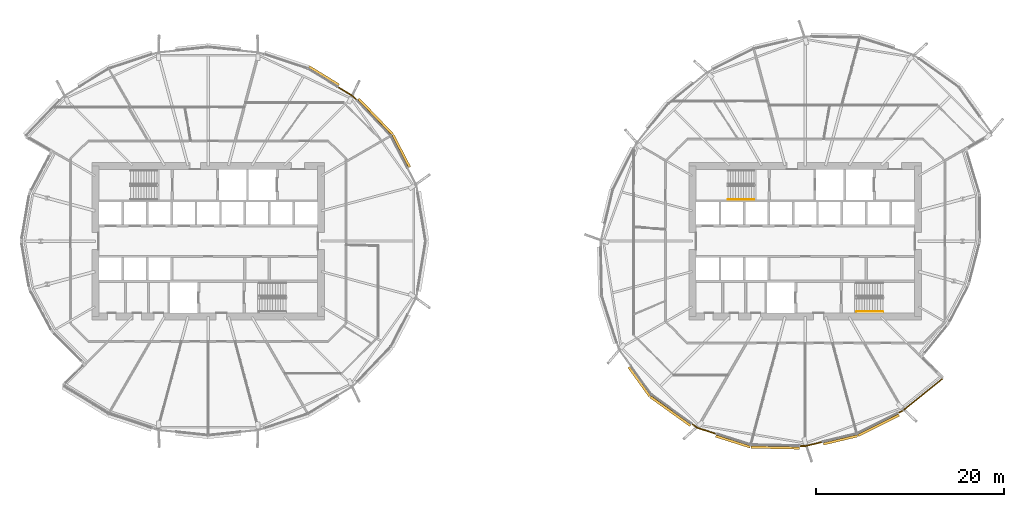
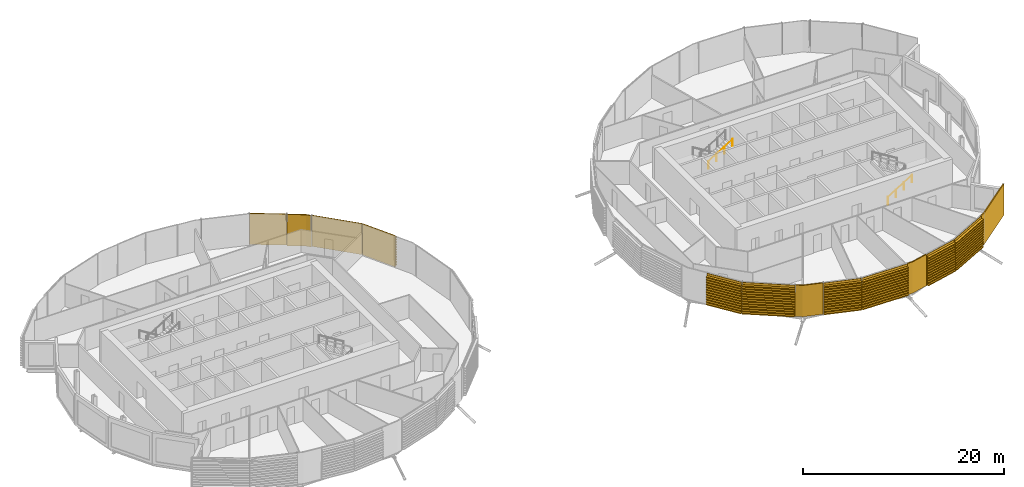
# One storey, part 36 of 38: 13 coverings, 2 railings.
"""IFC4 building model written with IfcOpenShell, lengths in metres."""

import ifcopenshell
import ifcopenshell.guid

model = None  # the IFC model being written
_history = None  # IfcOwnerHistory: only IFC2X3 demands one
_inside = {}  # id of a spatial element -> (the spatial element, [elements in it])
_under = {}  # id of a project, library or spatial element -> (it, [spatial elements below it])
_declared = {}  # id of a project -> (the project, [libraries it declares])
_typed = {}  # id of a type object -> (the type object, [elements of that type])
_made_of = {}  # id of a material, layer set ... -> (it, [elements and type objects made of it])


def new_model(schema):
    """Start an empty IFC model of exactly this schema.

    Asked for "IFC4X3", IfcOpenShell would pick the latest addendum, in which some entities
    have other attributes; the version numbers below select the first issue.
    IFC2X3 requires an IfcOwnerHistory on every rooted entity: one is made here for all.
    """
    global model, _history
    if schema == "IFC4X3":
        model = ifcopenshell.file(schema_version=(4, 3, 0, 0))
    else:
        model = ifcopenshell.file(schema=schema)
    _inside.clear()
    _under.clear()
    _declared.clear()
    _typed.clear()
    _made_of.clear()
    _history = None
    if model.schema == "IFC2X3":
        org = make("IfcOrganization", Name="unknown")
        user = make(
            "IfcPersonAndOrganization",
            ThePerson=make("IfcPerson", FamilyName="unknown"),
            TheOrganization=org,
        )
        app = make(
            "IfcApplication",
            ApplicationDeveloper=org,
            Version="unknown",
            ApplicationFullName="unknown",
            ApplicationIdentifier="unknown",
        )
        _history = make(
            "IfcOwnerHistory",
            OwningUser=user,
            OwningApplication=app,
            ChangeAction="ADDED",
            CreationDate=0,
        )
    return model


def make(cls, **values):
    """One entity of the class cls with the attributes given. An attribute that is None is left unset."""
    return model.create_entity(
        cls, **{name: value for name, value in values.items() if value is not None}
    )


def rooted(cls, **values):
    """An entity with a GlobalId (a new one), such as an element, a storey or a relation."""
    return make(cls, GlobalId=ifcopenshell.guid.new(), OwnerHistory=_history, **values)


def si_unit(unit_type, name, prefix=None):
    """IfcSIUnit, for example si_unit("LENGTHUNIT", "METRE", prefix="MILLI")."""
    return make("IfcSIUnit", UnitType=unit_type, Prefix=prefix, Name=name)


def assignment(units):
    """IfcUnitAssignment: the units of a project."""
    return None if units is None else make("IfcUnitAssignment", Units=units)


def point(xyz):
    """IfcCartesianPoint."""
    return None if xyz is None else make("IfcCartesianPoint", Coordinates=xyz)


def direction(xyz):
    """IfcDirection."""
    return None if xyz is None else make("IfcDirection", DirectionRatios=xyz)


def frame(location, z_axis=None, x_axis=None):
    """IfcAxis2Placement3D, a coordinate frame: its origin and axes. An axis left out is left unset."""
    return make(
        "IfcAxis2Placement3D",
        Location=point(location),
        Axis=direction(z_axis),
        RefDirection=direction(x_axis),
    )


def frame_2d(location, x_axis=None):
    """IfcAxis2Placement2D, a coordinate frame in the plane: its origin and x axis."""
    return make(
        "IfcAxis2Placement2D", Location=point(location), RefDirection=direction(x_axis)
    )


def origin():
    """The frame at (0, 0, 0) with its axes left unset."""
    return frame((0.0, 0.0, 0.0))


def origin_2d():
    """The frame at (0, 0) in the plane with its x axis left unset."""
    return frame_2d((0.0, 0.0))


def place(relative_to, where):
    """IfcLocalPlacement: puts the frame where relative to a parent placement (None: the world)."""
    return make(
        "IfcLocalPlacement", PlacementRelTo=relative_to, RelativePlacement=where
    )


def context(
    kind, dimensions, precision=None, world=None, true_north=None, identifier=None
):
    """IfcGeometricRepresentationContext, for example the 3D "Model" context."""
    return make(
        "IfcGeometricRepresentationContext",
        ContextIdentifier=identifier,
        ContextType=kind,
        CoordinateSpaceDimension=dimensions,
        Precision=precision,
        WorldCoordinateSystem=world,
        TrueNorth=true_north,
    )


def subcontext(parent, identifier, kind, view, scale=None):
    """IfcGeometricRepresentationSubContext, for example "Body" below "Model"."""
    return make(
        "IfcGeometricRepresentationSubContext",
        ContextIdentifier=identifier,
        ContextType=kind,
        ParentContext=parent,
        TargetScale=scale,
        TargetView=view,
    )


def project(units=None, contexts=None):
    """IfcProject with its units and contexts."""
    return rooted(
        "IfcProject",
        Name="project",
        RepresentationContexts=contexts,
        UnitsInContext=assignment(units),
    )


def spatial(cls, under=None, at=None, **own):
    """A site, building, storey or space (cls), placed at a placement, below another one or the project."""
    s = rooted(cls, ObjectPlacement=at, **own)
    if under is not None:
        _under.setdefault(under.id(), (under, []))[1].append(s)
    return s


def polyline(points):
    """IfcPolyline through the points."""
    return make("IfcPolyline", Points=[point(p) for p in points])


def profile(cls, at=None, kind="AREA", **sizes):
    """A parametric profile (cls). Its sizes go by their IFC names, for example OverallWidth=200.0."""
    return make(cls, ProfileType=kind, Position=at, **sizes)


def circle(**sizes):
    """IfcCircleProfileDef."""
    return profile("IfcCircleProfileDef", **sizes)


def outline(outer, holes=None, kind="AREA"):
    """IfcArbitraryClosedProfileDef: a profile drawn as a closed curve; with holes, ...WithVoids."""
    if holes is None:
        return make("IfcArbitraryClosedProfileDef", ProfileType=kind, OuterCurve=outer)
    return make(
        "IfcArbitraryProfileDefWithVoids",
        ProfileType=kind,
        OuterCurve=outer,
        InnerCurves=holes,
    )


def extrude(swept, where, along, depth):
    """IfcExtrudedAreaSolid: the profile swept, set in the frame where, extruded along a direction by depth."""
    return make(
        "IfcExtrudedAreaSolid",
        SweptArea=swept,
        Position=where,
        ExtrudedDirection=direction(along),
        Depth=depth,
    )


def shape(context_of_items, identifier, shape_type, items):
    """IfcShapeRepresentation: the items that make up one representation, for example the "Body"."""
    return make(
        "IfcShapeRepresentation",
        ContextOfItems=context_of_items,
        RepresentationIdentifier=identifier,
        RepresentationType=shape_type,
        Items=items,
    )


def material(Name=None, Category=None):
    """IfcMaterial."""
    return make("IfcMaterial", Name=Name, Category=Category)


def layer(
    of_material, thickness, ventilated=None, Name=None, Category=None, Priority=None
):
    """IfcMaterialLayer: one layer of a wall or slab, of a material (None: an air gap)."""
    return make(
        "IfcMaterialLayer",
        Material=of_material,
        LayerThickness=thickness,
        IsVentilated=ventilated,
        Name=Name,
        Category=Category,
        Priority=Priority,
    )


def layer_set(layers, Name=None):
    """IfcMaterialLayerSet."""
    return make("IfcMaterialLayerSet", MaterialLayers=layers, LayerSetName=Name)


def material_profile(
    of_material, cross_section, Name=None, Category=None, Priority=None
):
    """IfcMaterialProfile: a cross section and its material."""
    return make(
        "IfcMaterialProfile",
        Name=Name,
        Material=of_material,
        Profile=cross_section,
        Priority=Priority,
        Category=Category,
    )


def profile_set(profiles, Name=None, composite=None):
    """IfcMaterialProfileSet."""
    return make(
        "IfcMaterialProfileSet",
        Name=Name,
        MaterialProfiles=profiles,
        CompositeProfile=composite,
    )


def made_of(thing, what):
    """Note that an element or type object is made of a material, layer set ...; save() writes the relation."""
    if what is not None:
        _made_of.setdefault(what.id(), (what, []))[1].append(thing)
    return thing


def type_object(cls, material=None, **own):
    """A type object (cls), such as IfcWallType, which elements share."""
    return made_of(rooted(cls, **own), material)


def element(
    cls,
    number,
    at=None,
    inside=None,
    cuts=None,
    type_object=None,
    material=None,
    context=None,
    identifier="Body",
    shape_type=None,
    held_by="IfcProductDefinitionShape",
    body=None,
    shapes=None,
    **own,
):
    """One element of the class cls, such as IfcWall. Its Tag is "e" and its number.

    at: its placement. inside: the storey or other place that contains it. cuts: it is an
    opening in that element (IfcRelVoidsElement). A single representation is given by context,
    identifier, shape_type and body (its items); several are given by shapes. held_by: the class
    of the entity that holds the representations. save() writes the other relations.
    """
    e = rooted(cls, Tag="e%d" % number, ObjectPlacement=at, **own)
    if body is not None:
        shapes = [shape(context, identifier, shape_type, body)]
    if shapes is not None:
        e.Representation = make(held_by, Representations=shapes)
    if inside is not None:
        _inside.setdefault(inside.id(), (inside, []))[1].append(e)
    if cuts is not None:
        rooted(
            "IfcRelVoidsElement", RelatingBuildingElement=cuts, RelatedOpeningElement=e
        )
    if type_object is not None:
        _typed.setdefault(type_object.id(), (type_object, []))[1].append(e)
    return made_of(e, material)


def aggregate(whole, parts):
    """IfcRelAggregates: a whole, such as a stair, and the parts it consists of."""
    return rooted("IfcRelAggregates", RelatingObject=whole, RelatedObjects=parts)


def save(model, path):
    """Write the relations noted so far, then the file.

    IfcRelAggregates (storeys below a building ...), IfcRelContainedInSpatialStructure (elements
    in a storey), IfcRelDefinesByType, IfcRelAssociatesMaterial and IfcRelDeclares: one each for
    every whole, place, type object, material and project.
    """
    for whole, parts in _under.values():
        aggregate(whole, parts)
    for where, things in _inside.values():
        rooted(
            "IfcRelContainedInSpatialStructure",
            RelatedElements=things,
            RelatingStructure=where,
        )
    for kind, things in _typed.values():
        rooted("IfcRelDefinesByType", RelatedObjects=things, RelatingType=kind)
    for what, things in _made_of.values():
        rooted("IfcRelAssociatesMaterial", RelatedObjects=things, RelatingMaterial=what)
    for by, libraries in _declared.values():
        rooted("IfcRelDeclares", RelatingContext=by, RelatedDefinitions=libraries)
    model.write(path)


model = new_model("IFC4")

# Units and contexts
model_context = context("Model", 3, precision=1e-05, world=origin(), true_north=direction((0.0, 1.0)))
body_context = subcontext(model_context, "Body", "Model", "MODEL_VIEW")
ifc_project = project(units=[si_unit("LENGTHUNIT", "METRE"), si_unit("AREAUNIT", "SQUARE_METRE"), si_unit("VOLUMEUNIT", "CUBIC_METRE"), si_unit("PLANEANGLEUNIT", "RADIAN"), si_unit("MASSUNIT", "GRAM", prefix="KILO")], contexts=[model_context])

# Site, building, storey
site_placement = place(None, origin())
site = spatial("IfcSite", under=ifc_project, at=site_placement, CompositionType="ELEMENT")
building_placement = place(site_placement, origin())
building = spatial("IfcBuilding", under=site, at=building_placement, Name="Rimbun Link Towers", CompositionType="ELEMENT")
storey_placement = place(building_placement, frame((0.0, 0.0, 119.60009765625)))
storey = spatial("IfcBuildingStorey", under=building, at=storey_placement, Name="L29", CompositionType="ELEMENT", Elevation=119.60009765625)

# Coverings
ifc_material_1 = material(Name="Terracotta", Category="masonry")
ifc_layer = layer(ifc_material_1, 0.1201171875)
ifc_layer_set = layer_set([ifc_layer], Name="LINK PIER terracotta cladding 120")
covering_type_1 = type_object("IfcCoveringType", Name="LINK PIER terracotta cladding 120", PredefinedType="CLADDING", material=ifc_layer_set)
covering_1_placement = place(storey_placement, origin())
element("IfcCovering", 1, at=covering_1_placement, inside=storey, type_object=covering_type_1, Name="LINK PIER cladding", PredefinedType="CLADDING", context=body_context, shape_type="SweptSolid", body=[
    extrude(outline(polyline([(-17.97802734375, 16.343994140625), (-16.384521484375, 15.365478515625), (-15.989990234375, 14.9541015625), (-15.9033203125, 15.037109375), (-16.308349609375, 15.459716796875), (-17.915283203125, 16.4462890625), (-17.97802734375, 16.343994140625)])), origin(), (0.0, 0.0, 1.0), 3.7998046875),
])
covering_2_placement = place(storey_placement, origin())
element("IfcCovering", 2, at=covering_2_placement, inside=storey, type_object=covering_type_1, Name="LINK PIER cladding", PredefinedType="CLADDING", context=body_context, shape_type="SweptSolid", body=[
    extrude(outline(polyline([(22.2841796875, -20.439208984375), (20.3115234375, -19.81201171875), (19.7265625, -19.39208984375), (19.65673828125, -19.48974609375), (20.257080078125, -19.92041015625), (22.247802734375, -20.5537109375), (22.2841796875, -20.439208984375)])), origin(), (0.0, 0.0, 1.0), 3.7998046875),
])
covering_3_placement = place(storey_placement, origin())
element("IfcCovering", 3, at=covering_3_placement, inside=storey, type_object=covering_type_1, Name="LINK PIER cladding", PredefinedType="CLADDING", context=body_context, shape_type="SweptSolid", body=[
    extrude(outline(polyline([(33.568603515625, -21.29541015625), (31.75, -21.730224609375), (31.18017578125, -21.71826171875), (31.177490234375, -21.83837890625), (31.762939453125, -21.8505859375), (33.5966796875, -21.412109375), (33.568603515625, -21.29541015625)])), origin(), (0.0, 0.0, 1.0), 3.7998046875),
])
covering_4_placement = place(storey_placement, origin())
element("IfcCovering", 4, at=covering_4_placement, inside=storey, type_object=covering_type_1, Name="LINK PIER cladding", PredefinedType="CLADDING", context=body_context, shape_type="SweptSolid", body=[
    extrude(outline(polyline([(46.29248046875, -14.58447265625), (42.1201171875, -17.961669921875), (41.61083984375, -18.217529296875), (41.664794921875, -18.32470703125), (42.185546875, -18.063232421875), (46.367919921875, -14.677734375), (46.29248046875, -14.58447265625)])), origin(), (0.0, 0.0, 1.0), 3.7998046875),
])

# Railings
ifc_material_2 = material(Name="Stainless steel grade 316", Category="steel")
railing_type = type_object("IfcRailingType", Name="Stair handrail", PredefinedType="HANDRAIL", material=ifc_material_2)
for number, where, name in (
    (5, (23.5, 4.449951171875, 2.072509765625), "L29 ST3 stair handrail 2"),
    (6, (37.199951171875, -7.5, 0.172607421875), "L29 ST4 stair handrail 1"),
):
    element("IfcRailing", number, at=place(storey_placement, frame(where)), inside=storey, type_object=railing_type, Name=name, PredefinedType="HANDRAIL", context=body_context, shape_type="SweptSolid", body=[
        extrude(circle(Radius=0.02392578125, at=origin_2d()), frame((0.0, 0.0, 0.8759765625), z_axis=(0.851089632645, 0.0, 0.525020415988), x_axis=(0.0, 1.0, 0.0)), (0.0, 0.0, 1.0), 3.2900390625),
        extrude(circle(Radius=0.02099609375, at=origin_2d()), origin(), (0.0, 0.0, 1.0), 0.851806640625),
        extrude(circle(Radius=0.02099609375, at=origin_2d()), frame((0.933349609375, 0.0, 0.57568359375)), (0.0, 0.0, 1.0), 0.851806640625),
        extrude(circle(Radius=0.02099609375, at=origin_2d()), frame((1.86669921875, 0.0, 1.151611328125)), (0.0, 0.0, 1.0), 0.851806640625),
        extrude(circle(Radius=0.02099609375, at=origin_2d()), frame((2.800048828125, 0.0, 1.727294921875)), (0.0, 0.0, 1.0), 0.851806640625),
    ])

# Coverings
ifc_material_3 = material(Name="Terracotta", Category="masonry")
ifc_material_profile = material_profile(ifc_material_3, outline(polyline([(0.123046875, 0.0), (0.1630859375, 0.0), (0.1630859375, 0.10009765625), (0.423095703125, 0.10009765625), (0.423095703125, 0.219970703125), (0.1630859375, 0.219970703125), (0.1630859375, 0.39990234375), (0.423095703125, 0.39990234375), (0.423095703125, 0.52001953125), (0.1630859375, 0.52001953125), (0.1630859375, 0.699951171875), (0.423095703125, 0.699951171875), (0.423095703125, 0.820068359375), (0.1630859375, 0.820068359375), (0.1630859375, 1.0), (0.423095703125, 1.0), (0.423095703125, 1.1201171875), (0.1630859375, 1.1201171875), (0.1630859375, 1.300048828125), (0.423095703125, 1.300048828125), (0.423095703125, 1.419921875), (0.1630859375, 1.419921875), (0.1630859375, 1.60009765625), (0.423095703125, 1.60009765625), (0.423095703125, 1.719970703125), (0.1630859375, 1.719970703125), (0.1630859375, 1.89990234375), (0.423095703125, 1.89990234375), (0.423095703125, 2.02001953125), (0.1630859375, 2.02001953125), (0.1630859375, 2.199951171875), (0.423095703125, 2.199951171875), (0.423095703125, 2.320068359375), (0.1630859375, 2.320068359375), (0.1630859375, 2.5), (0.423095703125, 2.5), (0.423095703125, 2.6201171875), (0.1630859375, 2.6201171875), (0.1630859375, 2.800048828125), (0.423095703125, 2.800048828125), (0.423095703125, 2.919921875), (0.1630859375, 2.919921875), (0.1630859375, 3.10009765625), (0.423095703125, 3.10009765625), (0.423095703125, 3.219970703125), (0.1630859375, 3.219970703125), (0.1630859375, 3.39990234375), (0.423095703125, 3.39990234375), (0.423095703125, 3.52001953125), (0.1630859375, 3.52001953125), (0.1630859375, 3.800048828125), (0.123046875, 3.800048828125), (0.123046875, 0.0)])), Name="BAGUETTE 120X300")
ifc_profile_set = profile_set([ifc_material_profile], Name="Terracotta")
covering_type_2 = type_object("IfcCoveringType", Name="TERRACOTTA BAGUETTE 120X300 H3800", PredefinedType="CLADDING", material=ifc_profile_set)
covering_5_placement = place(storey_placement, frame((-12.37646484375, 11.185302734375, 0.0), z_axis=(0.459537686225, -0.888158271334, 0.0), x_axis=(0.888158271334, 0.459537686225, 0.0)))
element("IfcCovering", 7, at=covering_5_placement, inside=storey, type_object=covering_type_2, Name="TERRACOTTA BAGUETTE", PredefinedType="CLADDING", context=body_context, shape_type="SweptSolid", body=[
    extrude(outline(polyline([(0.123046875, 0.0), (0.1630859375, 0.0), (0.1630859375, 0.10009765625), (0.423095703125, 0.10009765625), (0.423095703125, 0.219970703125), (0.1630859375, 0.219970703125), (0.1630859375, 0.39990234375), (0.423095703125, 0.39990234375), (0.423095703125, 0.52001953125), (0.1630859375, 0.52001953125), (0.1630859375, 0.699951171875), (0.423095703125, 0.699951171875), (0.423095703125, 0.820068359375), (0.1630859375, 0.820068359375), (0.1630859375, 1.0), (0.423095703125, 1.0), (0.423095703125, 1.1201171875), (0.1630859375, 1.1201171875), (0.1630859375, 1.300048828125), (0.423095703125, 1.300048828125), (0.423095703125, 1.419921875), (0.1630859375, 1.419921875), (0.1630859375, 1.60009765625), (0.423095703125, 1.60009765625), (0.423095703125, 1.719970703125), (0.1630859375, 1.719970703125), (0.1630859375, 1.89990234375), (0.423095703125, 1.89990234375), (0.423095703125, 2.02001953125), (0.1630859375, 2.02001953125), (0.1630859375, 2.199951171875), (0.423095703125, 2.199951171875), (0.423095703125, 2.320068359375), (0.1630859375, 2.320068359375), (0.1630859375, 2.5), (0.423095703125, 2.5), (0.423095703125, 2.6201171875), (0.1630859375, 2.6201171875), (0.1630859375, 2.800048828125), (0.423095703125, 2.800048828125), (0.423095703125, 2.919921875), (0.1630859375, 2.919921875), (0.1630859375, 3.10009765625), (0.423095703125, 3.10009765625), (0.423095703125, 3.219970703125), (0.1630859375, 3.219970703125), (0.1630859375, 3.39990234375), (0.423095703125, 3.39990234375), (0.423095703125, 3.52001953125), (0.1630859375, 3.52001953125), (0.1630859375, 3.800048828125), (0.123046875, 3.800048828125), (0.123046875, 0.0)])), origin(), (0.0, 0.0, 1.0), 3.877197265625),
])
covering_6_placement = place(storey_placement, frame((-15.96923828125, 14.9326171875, 0.0), z_axis=(0.692065709905, -0.721834505391, 0.0), x_axis=(0.721834505391, 0.692065709905, 0.0)))
element("IfcCovering", 8, at=covering_6_placement, inside=storey, type_object=covering_type_2, Name="TERRACOTTA BAGUETTE", PredefinedType="CLADDING", context=body_context, shape_type="SweptSolid", body=[
    extrude(outline(polyline([(0.123046875, 0.0), (0.1630859375, 0.0), (0.1630859375, 0.10009765625), (0.423095703125, 0.10009765625), (0.423095703125, 0.219970703125), (0.1630859375, 0.219970703125), (0.1630859375, 0.39990234375), (0.423095703125, 0.39990234375), (0.423095703125, 0.52001953125), (0.1630859375, 0.52001953125), (0.1630859375, 0.699951171875), (0.423095703125, 0.699951171875), (0.423095703125, 0.820068359375), (0.1630859375, 0.820068359375), (0.1630859375, 1.0), (0.423095703125, 1.0), (0.423095703125, 1.1201171875), (0.1630859375, 1.1201171875), (0.1630859375, 1.300048828125), (0.423095703125, 1.300048828125), (0.423095703125, 1.419921875), (0.1630859375, 1.419921875), (0.1630859375, 1.60009765625), (0.423095703125, 1.60009765625), (0.423095703125, 1.719970703125), (0.1630859375, 1.719970703125), (0.1630859375, 1.89990234375), (0.423095703125, 1.89990234375), (0.423095703125, 2.02001953125), (0.1630859375, 2.02001953125), (0.1630859375, 2.199951171875), (0.423095703125, 2.199951171875), (0.423095703125, 2.320068359375), (0.1630859375, 2.320068359375), (0.1630859375, 2.5), (0.423095703125, 2.5), (0.423095703125, 2.6201171875), (0.1630859375, 2.6201171875), (0.1630859375, 2.800048828125), (0.423095703125, 2.800048828125), (0.423095703125, 2.919921875), (0.1630859375, 2.919921875), (0.1630859375, 3.10009765625), (0.423095703125, 3.10009765625), (0.423095703125, 3.219970703125), (0.1630859375, 3.219970703125), (0.1630859375, 3.39990234375), (0.423095703125, 3.39990234375), (0.423095703125, 3.52001953125), (0.1630859375, 3.52001953125), (0.1630859375, 3.800048828125), (0.123046875, 3.800048828125), (0.123046875, 0.0)])), origin(), (0.0, 0.0, 1.0), 5.19140625),
])
covering_7_placement = place(storey_placement, frame((-21.178955078125, 18.3095703125, 0.0), z_axis=(0.852175326292, -0.523256355203, 0.0), x_axis=(0.523256355203, 0.852175326292, 0.0)))
element("IfcCovering", 9, at=covering_7_placement, inside=storey, type_object=covering_type_2, Name="TERRACOTTA BAGUETTE", PredefinedType="CLADDING", context=body_context, shape_type="SweptSolid", body=[
    extrude(outline(polyline([(0.123046875, 0.0), (0.1630859375, 0.0), (0.1630859375, 0.10009765625), (0.423095703125, 0.10009765625), (0.423095703125, 0.219970703125), (0.1630859375, 0.219970703125), (0.1630859375, 0.39990234375), (0.423095703125, 0.39990234375), (0.423095703125, 0.52001953125), (0.1630859375, 0.52001953125), (0.1630859375, 0.699951171875), (0.423095703125, 0.699951171875), (0.423095703125, 0.820068359375), (0.1630859375, 0.820068359375), (0.1630859375, 1.0), (0.423095703125, 1.0), (0.423095703125, 1.1201171875), (0.1630859375, 1.1201171875), (0.1630859375, 1.300048828125), (0.423095703125, 1.300048828125), (0.423095703125, 1.419921875), (0.1630859375, 1.419921875), (0.1630859375, 1.60009765625), (0.423095703125, 1.60009765625), (0.423095703125, 1.719970703125), (0.1630859375, 1.719970703125), (0.1630859375, 1.89990234375), (0.423095703125, 1.89990234375), (0.423095703125, 2.02001953125), (0.1630859375, 2.02001953125), (0.1630859375, 2.199951171875), (0.423095703125, 2.199951171875), (0.423095703125, 2.320068359375), (0.1630859375, 2.320068359375), (0.1630859375, 2.5), (0.423095703125, 2.5), (0.423095703125, 2.6201171875), (0.1630859375, 2.6201171875), (0.1630859375, 2.800048828125), (0.423095703125, 2.800048828125), (0.423095703125, 2.919921875), (0.1630859375, 2.919921875), (0.1630859375, 3.10009765625), (0.423095703125, 3.10009765625), (0.423095703125, 3.219970703125), (0.1630859375, 3.219970703125), (0.1630859375, 3.39990234375), (0.423095703125, 3.39990234375), (0.423095703125, 3.52001953125), (0.1630859375, 3.52001953125), (0.1630859375, 3.800048828125), (0.123046875, 3.800048828125), (0.123046875, 0.0)])), origin(), (0.0, 0.0, 1.0), 3.72607421875),
])
covering_8_placement = place(storey_placement, frame((15.436279296875, -16.313720703125, 0.0), z_axis=(-0.582968725467, 0.812494593907, 0.0), x_axis=(-0.812494593907, -0.582968725467, 0.0)))
element("IfcCovering", 10, at=covering_8_placement, inside=storey, type_object=covering_type_2, Name="TERRACOTTA BAGUETTE", PredefinedType="CLADDING", context=body_context, shape_type="SweptSolid", body=[
    extrude(outline(polyline([(0.123046875, 0.0), (0.1630859375, 0.0), (0.1630859375, 0.10009765625), (0.423095703125, 0.10009765625), (0.423095703125, 0.219970703125), (0.1630859375, 0.219970703125), (0.1630859375, 0.39990234375), (0.423095703125, 0.39990234375), (0.423095703125, 0.52001953125), (0.1630859375, 0.52001953125), (0.1630859375, 0.699951171875), (0.423095703125, 0.699951171875), (0.423095703125, 0.820068359375), (0.1630859375, 0.820068359375), (0.1630859375, 1.0), (0.423095703125, 1.0), (0.423095703125, 1.1201171875), (0.1630859375, 1.1201171875), (0.1630859375, 1.300048828125), (0.423095703125, 1.300048828125), (0.423095703125, 1.419921875), (0.1630859375, 1.419921875), (0.1630859375, 1.60009765625), (0.423095703125, 1.60009765625), (0.423095703125, 1.719970703125), (0.1630859375, 1.719970703125), (0.1630859375, 1.89990234375), (0.423095703125, 1.89990234375), (0.423095703125, 2.02001953125), (0.1630859375, 2.02001953125), (0.1630859375, 2.199951171875), (0.423095703125, 2.199951171875), (0.423095703125, 2.320068359375), (0.1630859375, 2.320068359375), (0.1630859375, 2.5), (0.423095703125, 2.5), (0.423095703125, 2.6201171875), (0.1630859375, 2.6201171875), (0.1630859375, 2.800048828125), (0.423095703125, 2.800048828125), (0.423095703125, 2.919921875), (0.1630859375, 2.919921875), (0.1630859375, 3.10009765625), (0.423095703125, 3.10009765625), (0.423095703125, 3.219970703125), (0.1630859375, 3.219970703125), (0.1630859375, 3.39990234375), (0.423095703125, 3.39990234375), (0.423095703125, 3.52001953125), (0.1630859375, 3.52001953125), (0.1630859375, 3.800048828125), (0.123046875, 3.800048828125), (0.123046875, 0.0)])), origin(), (0.0, 0.0, 1.0), 3.800537109375),
])
covering_9_placement = place(storey_placement, frame((19.7021484375, -19.374755859375, 0.0), z_axis=(-0.812471696344, 0.583000636912, 0.0), x_axis=(-0.583000636912, -0.812471696344, 0.0)))
element("IfcCovering", 11, at=covering_9_placement, inside=storey, type_object=covering_type_2, Name="TERRACOTTA BAGUETTE", PredefinedType="CLADDING", context=body_context, shape_type="SweptSolid", body=[
    extrude(outline(polyline([(0.123046875, 0.0), (0.1630859375, 0.0), (0.1630859375, 0.10009765625), (0.423095703125, 0.10009765625), (0.423095703125, 0.219970703125), (0.1630859375, 0.219970703125), (0.1630859375, 0.39990234375), (0.423095703125, 0.39990234375), (0.423095703125, 0.52001953125), (0.1630859375, 0.52001953125), (0.1630859375, 0.699951171875), (0.423095703125, 0.699951171875), (0.423095703125, 0.820068359375), (0.1630859375, 0.820068359375), (0.1630859375, 1.0), (0.423095703125, 1.0), (0.423095703125, 1.1201171875), (0.1630859375, 1.1201171875), (0.1630859375, 1.300048828125), (0.423095703125, 1.300048828125), (0.423095703125, 1.419921875), (0.1630859375, 1.419921875), (0.1630859375, 1.60009765625), (0.423095703125, 1.60009765625), (0.423095703125, 1.719970703125), (0.1630859375, 1.719970703125), (0.1630859375, 1.89990234375), (0.423095703125, 1.89990234375), (0.423095703125, 2.02001953125), (0.1630859375, 2.02001953125), (0.1630859375, 2.199951171875), (0.423095703125, 2.199951171875), (0.423095703125, 2.320068359375), (0.1630859375, 2.320068359375), (0.1630859375, 2.5), (0.423095703125, 2.5), (0.423095703125, 2.6201171875), (0.1630859375, 2.6201171875), (0.1630859375, 2.800048828125), (0.423095703125, 2.800048828125), (0.423095703125, 2.919921875), (0.1630859375, 2.919921875), (0.1630859375, 3.10009765625), (0.423095703125, 3.10009765625), (0.423095703125, 3.219970703125), (0.1630859375, 3.219970703125), (0.1630859375, 3.39990234375), (0.423095703125, 3.39990234375), (0.423095703125, 3.52001953125), (0.1630859375, 3.52001953125), (0.1630859375, 3.800048828125), (0.123046875, 3.800048828125), (0.123046875, 0.0)])), origin(), (0.0, 0.0, 1.0), 5.25048828125),
])
covering_10_placement = place(storey_placement, frame((25.960205078125, -21.6083984375, 0.0), z_axis=(-0.952955932815, 0.303108875016, 0.0), x_axis=(-0.303108875016, -0.952955932815, 0.0)))
element("IfcCovering", 12, at=covering_10_placement, inside=storey, type_object=covering_type_2, Name="TERRACOTTA BAGUETTE", PredefinedType="CLADDING", context=body_context, shape_type="SweptSolid", body=[
    extrude(outline(polyline([(0.123046875, 0.0), (0.1630859375, 0.0), (0.1630859375, 0.10009765625), (0.423095703125, 0.10009765625), (0.423095703125, 0.219970703125), (0.1630859375, 0.219970703125), (0.1630859375, 0.39990234375), (0.423095703125, 0.39990234375), (0.423095703125, 0.52001953125), (0.1630859375, 0.52001953125), (0.1630859375, 0.699951171875), (0.423095703125, 0.699951171875), (0.423095703125, 0.820068359375), (0.1630859375, 0.820068359375), (0.1630859375, 1.0), (0.423095703125, 1.0), (0.423095703125, 1.1201171875), (0.1630859375, 1.1201171875), (0.1630859375, 1.300048828125), (0.423095703125, 1.300048828125), (0.423095703125, 1.419921875), (0.1630859375, 1.419921875), (0.1630859375, 1.60009765625), (0.423095703125, 1.60009765625), (0.423095703125, 1.719970703125), (0.1630859375, 1.719970703125), (0.1630859375, 1.89990234375), (0.423095703125, 1.89990234375), (0.423095703125, 2.02001953125), (0.1630859375, 2.02001953125), (0.1630859375, 2.199951171875), (0.423095703125, 2.199951171875), (0.423095703125, 2.320068359375), (0.1630859375, 2.320068359375), (0.1630859375, 2.5), (0.423095703125, 2.5), (0.423095703125, 2.6201171875), (0.1630859375, 2.6201171875), (0.1630859375, 2.800048828125), (0.423095703125, 2.800048828125), (0.423095703125, 2.919921875), (0.1630859375, 2.919921875), (0.1630859375, 3.10009765625), (0.423095703125, 3.10009765625), (0.423095703125, 3.219970703125), (0.1630859375, 3.219970703125), (0.1630859375, 3.39990234375), (0.423095703125, 3.39990234375), (0.423095703125, 3.52001953125), (0.1630859375, 3.52001953125), (0.1630859375, 3.800048828125), (0.123046875, 3.800048828125), (0.123046875, 0.0)])), origin(), (0.0, 0.0, 1.0), 3.82763671875),
])
covering_11_placement = place(storey_placement, frame((31.150146484375, -21.7177734375, 0.0), z_axis=(-0.999778008373, 0.021069740698, 0.0), x_axis=(-0.021069740698, -0.999778008373, 0.0)))
element("IfcCovering", 13, at=covering_11_placement, inside=storey, type_object=covering_type_2, Name="TERRACOTTA BAGUETTE", PredefinedType="CLADDING", context=body_context, shape_type="SweptSolid", body=[
    extrude(outline(polyline([(0.123046875, 0.0), (0.1630859375, 0.0), (0.1630859375, 0.10009765625), (0.423095703125, 0.10009765625), (0.423095703125, 0.219970703125), (0.1630859375, 0.219970703125), (0.1630859375, 0.39990234375), (0.423095703125, 0.39990234375), (0.423095703125, 0.52001953125), (0.1630859375, 0.52001953125), (0.1630859375, 0.699951171875), (0.423095703125, 0.699951171875), (0.423095703125, 0.820068359375), (0.1630859375, 0.820068359375), (0.1630859375, 1.0), (0.423095703125, 1.0), (0.423095703125, 1.1201171875), (0.1630859375, 1.1201171875), (0.1630859375, 1.300048828125), (0.423095703125, 1.300048828125), (0.423095703125, 1.419921875), (0.1630859375, 1.419921875), (0.1630859375, 1.60009765625), (0.423095703125, 1.60009765625), (0.423095703125, 1.719970703125), (0.1630859375, 1.719970703125), (0.1630859375, 1.89990234375), (0.423095703125, 1.89990234375), (0.423095703125, 2.02001953125), (0.1630859375, 2.02001953125), (0.1630859375, 2.199951171875), (0.423095703125, 2.199951171875), (0.423095703125, 2.320068359375), (0.1630859375, 2.320068359375), (0.1630859375, 2.5), (0.423095703125, 2.5), (0.423095703125, 2.6201171875), (0.1630859375, 2.6201171875), (0.1630859375, 2.800048828125), (0.423095703125, 2.800048828125), (0.423095703125, 2.919921875), (0.1630859375, 2.919921875), (0.1630859375, 3.10009765625), (0.423095703125, 3.10009765625), (0.423095703125, 3.219970703125), (0.1630859375, 3.219970703125), (0.1630859375, 3.39990234375), (0.423095703125, 3.39990234375), (0.423095703125, 3.52001953125), (0.1630859375, 3.52001953125), (0.1630859375, 3.800048828125), (0.123046875, 3.800048828125), (0.123046875, 0.0)])), origin(), (0.0, 0.0, 1.0), 5.191162109375),
])
covering_12_placement = place(storey_placement, frame((37.221923828125, -20.421630859375, 0.0), z_axis=(-0.972573736539, -0.232594769921, 0.0), x_axis=(0.232594769921, -0.972573736539, 0.0)))
element("IfcCovering", 14, at=covering_12_placement, inside=storey, type_object=covering_type_2, Name="TERRACOTTA BAGUETTE", PredefinedType="CLADDING", context=body_context, shape_type="SweptSolid", body=[
    extrude(outline(polyline([(0.123046875, 0.0), (0.1630859375, 0.0), (0.1630859375, 0.10009765625), (0.423095703125, 0.10009765625), (0.423095703125, 0.219970703125), (0.1630859375, 0.219970703125), (0.1630859375, 0.39990234375), (0.423095703125, 0.39990234375), (0.423095703125, 0.52001953125), (0.1630859375, 0.52001953125), (0.1630859375, 0.699951171875), (0.423095703125, 0.699951171875), (0.423095703125, 0.820068359375), (0.1630859375, 0.820068359375), (0.1630859375, 1.0), (0.423095703125, 1.0), (0.423095703125, 1.1201171875), (0.1630859375, 1.1201171875), (0.1630859375, 1.300048828125), (0.423095703125, 1.300048828125), (0.423095703125, 1.419921875), (0.1630859375, 1.419921875), (0.1630859375, 1.60009765625), (0.423095703125, 1.60009765625), (0.423095703125, 1.719970703125), (0.1630859375, 1.719970703125), (0.1630859375, 1.89990234375), (0.423095703125, 1.89990234375), (0.423095703125, 2.02001953125), (0.1630859375, 2.02001953125), (0.1630859375, 2.199951171875), (0.423095703125, 2.199951171875), (0.423095703125, 2.320068359375), (0.1630859375, 2.320068359375), (0.1630859375, 2.5), (0.423095703125, 2.5), (0.423095703125, 2.6201171875), (0.1630859375, 2.6201171875), (0.1630859375, 2.800048828125), (0.423095703125, 2.800048828125), (0.423095703125, 2.919921875), (0.1630859375, 2.919921875), (0.1630859375, 3.10009765625), (0.423095703125, 3.10009765625), (0.423095703125, 3.219970703125), (0.1630859375, 3.219970703125), (0.1630859375, 3.39990234375), (0.423095703125, 3.39990234375), (0.423095703125, 3.52001953125), (0.1630859375, 3.52001953125), (0.1630859375, 3.800048828125), (0.123046875, 3.800048828125), (0.123046875, 0.0)])), origin(), (0.0, 0.0, 1.0), 3.726318359375),
])
covering_13_placement = place(storey_placement, frame((41.583984375, -18.23095703125, 0.0), z_axis=(-0.893635542068, -0.448793402305, 0.0), x_axis=(0.448793402305, -0.893635542068, 0.0)))
element("IfcCovering", 15, at=covering_13_placement, inside=storey, type_object=covering_type_2, Name="TERRACOTTA BAGUETTE", PredefinedType="CLADDING", context=body_context, shape_type="SweptSolid", body=[
    extrude(outline(polyline([(0.123046875, 0.0), (0.1630859375, 0.0), (0.1630859375, 0.10009765625), (0.423095703125, 0.10009765625), (0.423095703125, 0.219970703125), (0.1630859375, 0.219970703125), (0.1630859375, 0.39990234375), (0.423095703125, 0.39990234375), (0.423095703125, 0.52001953125), (0.1630859375, 0.52001953125), (0.1630859375, 0.699951171875), (0.423095703125, 0.699951171875), (0.423095703125, 0.820068359375), (0.1630859375, 0.820068359375), (0.1630859375, 1.0), (0.423095703125, 1.0), (0.423095703125, 1.1201171875), (0.1630859375, 1.1201171875), (0.1630859375, 1.300048828125), (0.423095703125, 1.300048828125), (0.423095703125, 1.419921875), (0.1630859375, 1.419921875), (0.1630859375, 1.60009765625), (0.423095703125, 1.60009765625), (0.423095703125, 1.719970703125), (0.1630859375, 1.719970703125), (0.1630859375, 1.89990234375), (0.423095703125, 1.89990234375), (0.423095703125, 2.02001953125), (0.1630859375, 2.02001953125), (0.1630859375, 2.199951171875), (0.423095703125, 2.199951171875), (0.423095703125, 2.320068359375), (0.1630859375, 2.320068359375), (0.1630859375, 2.5), (0.423095703125, 2.5), (0.423095703125, 2.6201171875), (0.1630859375, 2.6201171875), (0.1630859375, 2.800048828125), (0.423095703125, 2.800048828125), (0.423095703125, 2.919921875), (0.1630859375, 2.919921875), (0.1630859375, 3.10009765625), (0.423095703125, 3.10009765625), (0.423095703125, 3.219970703125), (0.1630859375, 3.219970703125), (0.1630859375, 3.39990234375), (0.423095703125, 3.39990234375), (0.423095703125, 3.52001953125), (0.1630859375, 3.52001953125), (0.1630859375, 3.800048828125), (0.123046875, 3.800048828125), (0.123046875, 0.0)])), origin(), (0.0, 0.0, 1.0), 4.88134765625),
])

save(model, "model.ifc")
